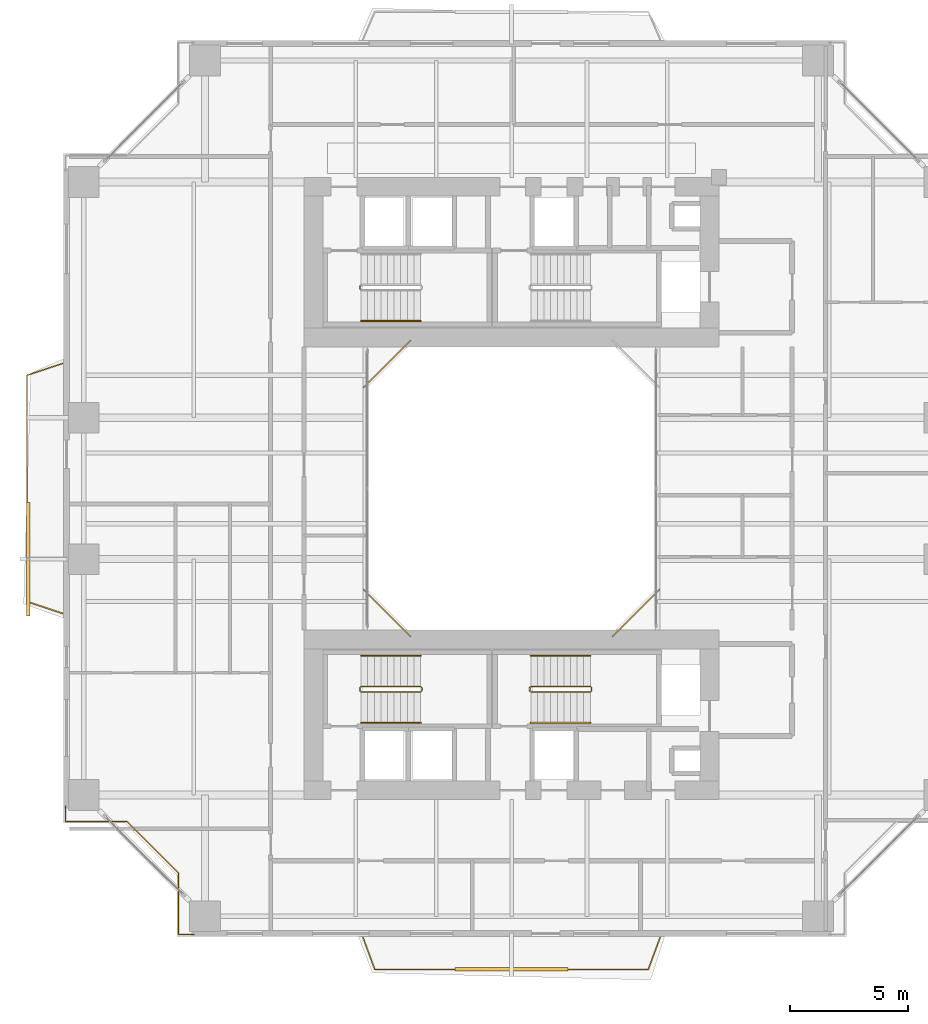
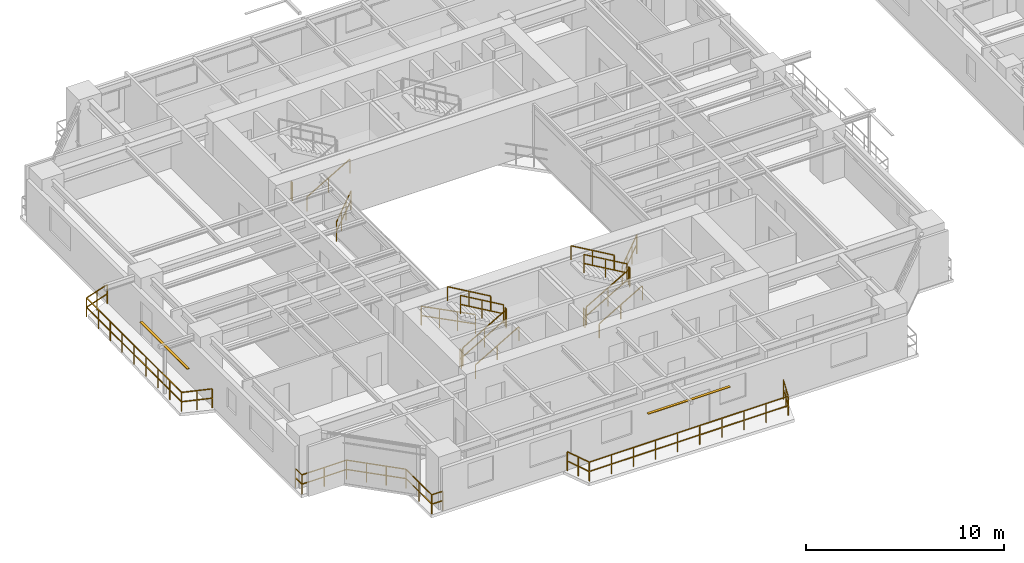
# One storey, part 19 of 23: 20 railings, 2 shading devices.
"""IFC4 building model written with IfcOpenShell, lengths in metres."""

from ifc_helpers import new_model, si_unit, direction, frame, origin, origin_2d, place, context, subcontext, project, spatial, rectangle, extrude, source, transform, mapped, material, material_profile, profile_set, type_object, element, save


model = new_model("IFC4")

# Units and contexts
model_context = context("Model", 3, precision=1e-05, world=origin(), true_north=direction((0.0, 1.0)))
body_context = subcontext(model_context, "Body", "Model", "MODEL_VIEW")
ifc_project = project(units=[si_unit("LENGTHUNIT", "METRE"), si_unit("AREAUNIT", "SQUARE_METRE"), si_unit("VOLUMEUNIT", "CUBIC_METRE"), si_unit("PLANEANGLEUNIT", "RADIAN"), si_unit("MASSUNIT", "GRAM", prefix="KILO"), si_unit("THERMODYNAMICTEMPERATUREUNIT", "KELVIN"), si_unit("POWERUNIT", "WATT")], contexts=[model_context])

# Site, building, storey
site_placement = place(None, origin())
site = spatial("IfcSite", under=ifc_project, at=site_placement, CompositionType="ELEMENT")
building_placement = place(site_placement, origin())
building = spatial("IfcBuilding", under=site, at=building_placement, Name="Qiaomeng Ring Towers", CompositionType="ELEMENT")
storey_placement = place(building_placement, frame((0.0, 0.0, 29.5)))
storey = spatial("IfcBuildingStorey", under=building, at=storey_placement, Name="L07", CompositionType="ELEMENT", Elevation=29.5)

# Railings
ifc_material_1 = material(Name="Low-E pale-green laminated safety glass", Category="glass")
railing_type_1 = type_object("IfcRailingType", Name="ARC-RL-BAL1", PredefinedType="BALUSTRADE", material=ifc_material_1)
railing_1_placement = place(storey_placement, frame((23.280029296875, 16.719970703125, 0.0)))
element("IfcRailing", 1, at=railing_1_placement, inside=storey, type_object=railing_type_1, Name="L07 Balustrade ARC-BAL-WELL1-L07-1", PredefinedType="BALUSTRADE", context=body_context, shape_type="SweptSolid", body=[
    extrude(rectangle(XDim=0.048095703125, YDim=0.048095703125, at=origin_2d()), frame((0.0, 0.0, 1.17578125), z_axis=(0.707106781187, 0.707106781187, 0.0), x_axis=(-0.707106781187, 0.707106781187, 0.0)), (0.0, 0.0, 1.0), 2.828369140625),
    extrude(rectangle(XDim=0.048095703125, YDim=0.048095703125, at=origin_2d()), frame((0.0, 0.0, 0.60009765625), z_axis=(0.707106781187, 0.707106781187, 0.0), x_axis=(-0.707106781187, 0.707106781187, 0.0)), (0.0, 0.0, 1.0), 2.828369140625),
    extrude(rectangle(XDim=0.0419921875, YDim=0.0419921875, at=origin_2d()), origin(), (0.0, 0.0, 1.0), 1.15185546875),
    extrude(rectangle(XDim=0.0419921875, YDim=0.0419921875, at=origin_2d()), frame((0.666748046875, 0.666748046875, 0.0)), (0.0, 0.0, 1.0), 1.15185546875),
    extrude(rectangle(XDim=0.0419921875, YDim=0.0419921875, at=origin_2d()), frame((1.333251953125, 1.333251953125, 0.0)), (0.0, 0.0, 1.0), 1.15185546875),
    extrude(rectangle(XDim=0.0419921875, YDim=0.0419921875, at=origin_2d()), frame((2.0, 2.0, 0.0)), (0.0, 0.0, 1.0), 1.15185546875),
])
railing_2_placement = place(storey_placement, frame((14.719970703125, 29.280029296875, 0.0)))
element("IfcRailing", 2, at=railing_2_placement, inside=storey, type_object=railing_type_1, Name="L07 Balustrade ARC-BAL-WELL1-L07-3", PredefinedType="BALUSTRADE", context=body_context, shape_type="SweptSolid", body=[
    extrude(rectangle(XDim=0.048095703125, YDim=0.048095703125, at=origin_2d()), frame((0.0, 0.0, 1.17578125), z_axis=(-0.707106781187, -0.707106781187, 0.0), x_axis=(0.707106781187, -0.707106781187, 0.0)), (0.0, 0.0, 1.0), 2.828369140625),
    extrude(rectangle(XDim=0.048095703125, YDim=0.048095703125, at=origin_2d()), frame((0.0, 0.0, 0.60009765625), z_axis=(-0.707106781187, -0.707106781187, 0.0), x_axis=(0.707106781187, -0.707106781187, 0.0)), (0.0, 0.0, 1.0), 2.828369140625),
    extrude(rectangle(XDim=0.0419921875, YDim=0.0419921875, at=origin_2d()), origin(), (0.0, 0.0, 1.0), 1.15185546875),
    extrude(rectangle(XDim=0.0419921875, YDim=0.0419921875, at=origin_2d()), frame((-0.666748046875, -0.666748046875, 0.0)), (0.0, 0.0, 1.0), 1.15185546875),
    extrude(rectangle(XDim=0.0419921875, YDim=0.0419921875, at=origin_2d()), frame((-1.333251953125, -1.333251953125, 0.0)), (0.0, 0.0, 1.0), 1.15185546875),
    extrude(rectangle(XDim=0.0419921875, YDim=0.0419921875, at=origin_2d()), frame((-2.0, -2.0, 0.0)), (0.0, 0.0, 1.0), 1.15185546875),
])
railing_3_placement = place(storey_placement, frame((12.719970703125, 18.719970703125, 0.0)))
element("IfcRailing", 3, at=railing_3_placement, inside=storey, type_object=railing_type_1, Name="L07 Balustrade ARC-BAL-WELL1-L07-4", PredefinedType="BALUSTRADE", context=body_context, shape_type="SweptSolid", body=[
    extrude(rectangle(XDim=0.048095703125, YDim=0.048095703125, at=origin_2d()), frame((0.0, 0.0, 1.17578125), z_axis=(0.707106781187, -0.707106781187, 0.0), x_axis=(0.707106781187, 0.707106781187, 0.0)), (0.0, 0.0, 1.0), 2.828369140625),
    extrude(rectangle(XDim=0.048095703125, YDim=0.048095703125, at=origin_2d()), frame((0.0, 0.0, 0.60009765625), z_axis=(0.707106781187, -0.707106781187, 0.0), x_axis=(0.707106781187, 0.707106781187, 0.0)), (0.0, 0.0, 1.0), 2.828369140625),
    extrude(rectangle(XDim=0.0419921875, YDim=0.0419921875, at=origin_2d()), origin(), (0.0, 0.0, 1.0), 1.15185546875),
    extrude(rectangle(XDim=0.0419921875, YDim=0.0419921875, at=origin_2d()), frame((0.666748046875, -0.666748046875, 0.0)), (0.0, 0.0, 1.0), 1.15185546875),
    extrude(rectangle(XDim=0.0419921875, YDim=0.0419921875, at=origin_2d()), frame((1.333251953125, -1.333251953125, 0.0)), (0.0, 0.0, 1.0), 1.15185546875),
    extrude(rectangle(XDim=0.0419921875, YDim=0.0419921875, at=origin_2d()), frame((2.0, -2.0, 0.0)), (0.0, 0.0, 1.0), 1.15185546875),
])
railing_4_placement = place(storey_placement, frame((0.080078125, 9.530029296875, 0.0)))
element("IfcRailing", 4, at=railing_4_placement, inside=storey, type_object=railing_type_1, Name="L07 Balustrade ARC-BAL-NOTCH1-L07-SW", PredefinedType="BALUSTRADE", context=body_context, shape_type="SweptSolid", body=[
    extrude(rectangle(XDim=0.048095703125, YDim=0.048095703125, at=origin_2d()), frame((0.0, 0.0, 1.17578125), z_axis=(0.0, -1.0, 0.0), x_axis=(1.0, 0.0, 0.0)), (0.0, 0.0, 1.0), 0.650146484375),
    extrude(rectangle(XDim=0.048095703125, YDim=0.048095703125, at=origin_2d()), frame((0.0, 0.0, 0.60009765625), z_axis=(0.0, -1.0, 0.0), x_axis=(1.0, 0.0, 0.0)), (0.0, 0.0, 1.0), 0.650146484375),
    extrude(rectangle(XDim=0.048095703125, YDim=0.048095703125, at=origin_2d()), frame((0.0, -0.650146484375, 1.17578125), z_axis=(1.0, 0.0, 0.0), x_axis=(0.0, 1.0, 0.0)), (0.0, 0.0, 1.0), 2.599853515625),
    extrude(rectangle(XDim=0.048095703125, YDim=0.048095703125, at=origin_2d()), frame((0.0, -0.650146484375, 0.60009765625), z_axis=(1.0, 0.0, 0.0), x_axis=(0.0, 1.0, 0.0)), (0.0, 0.0, 1.0), 2.599853515625),
    extrude(rectangle(XDim=0.048095703125, YDim=0.048095703125, at=origin_2d()), frame((2.599853515625, -0.650146484375, 1.17578125), z_axis=(0.707106781187, -0.707106781187, 0.0), x_axis=(0.707106781187, 0.707106781187, 0.0)), (0.0, 0.0, 1.0), 3.111083984375),
    extrude(rectangle(XDim=0.048095703125, YDim=0.048095703125, at=origin_2d()), frame((2.599853515625, -0.650146484375, 0.60009765625), z_axis=(0.707106781187, -0.707106781187, 0.0), x_axis=(0.707106781187, 0.707106781187, 0.0)), (0.0, 0.0, 1.0), 3.111083984375),
    extrude(rectangle(XDim=0.048095703125, YDim=0.048095703125, at=origin_2d()), frame((4.7998046875, -2.85009765625, 1.17578125), z_axis=(0.0, -1.0, 0.0), x_axis=(1.0, 0.0, 0.0)), (0.0, 0.0, 1.0), 2.599853515625),
    extrude(rectangle(XDim=0.048095703125, YDim=0.048095703125, at=origin_2d()), frame((4.7998046875, -2.85009765625, 0.60009765625), z_axis=(0.0, -1.0, 0.0), x_axis=(1.0, 0.0, 0.0)), (0.0, 0.0, 1.0), 2.599853515625),
    extrude(rectangle(XDim=0.048095703125, YDim=0.048095703125, at=origin_2d()), frame((4.7998046875, -5.449951171875, 1.17578125), z_axis=(1.0, 0.0, 0.0), x_axis=(0.0, 1.0, 0.0)), (0.0, 0.0, 1.0), 0.650146484375),
    extrude(rectangle(XDim=0.048095703125, YDim=0.048095703125, at=origin_2d()), frame((4.7998046875, -5.449951171875, 0.60009765625), z_axis=(1.0, 0.0, 0.0), x_axis=(0.0, 1.0, 0.0)), (0.0, 0.0, 1.0), 0.650146484375),
    extrude(rectangle(XDim=0.0419921875, YDim=0.0419921875, at=origin_2d()), origin(), (0.0, 0.0, 1.0), 1.15185546875),
    extrude(rectangle(XDim=0.0419921875, YDim=0.0419921875, at=origin_2d()), frame((0.0, -0.650146484375, 0.0)), (0.0, 0.0, 1.0), 1.15185546875),
    extrude(rectangle(XDim=0.0419921875, YDim=0.0419921875, at=origin_2d()), frame((1.2998046875, -0.650146484375, 0.0)), (0.0, 0.0, 1.0), 1.15185546875),
    extrude(rectangle(XDim=0.0419921875, YDim=0.0419921875, at=origin_2d()), frame((2.599853515625, -0.650146484375, 0.0)), (0.0, 0.0, 1.0), 1.15185546875),
    extrude(rectangle(XDim=0.0419921875, YDim=0.0419921875, at=origin_2d()), frame((3.333251953125, -1.383544921875, 0.0)), (0.0, 0.0, 1.0), 1.15185546875),
    extrude(rectangle(XDim=0.0419921875, YDim=0.0419921875, at=origin_2d()), frame((4.06640625, -2.11669921875, 0.0)), (0.0, 0.0, 1.0), 1.15185546875),
    extrude(rectangle(XDim=0.0419921875, YDim=0.0419921875, at=origin_2d()), frame((4.7998046875, -2.85009765625, 0.0)), (0.0, 0.0, 1.0), 1.15185546875),
    extrude(rectangle(XDim=0.0419921875, YDim=0.0419921875, at=origin_2d()), frame((4.7998046875, -4.14990234375, 0.0)), (0.0, 0.0, 1.0), 1.15185546875),
    extrude(rectangle(XDim=0.0419921875, YDim=0.0419921875, at=origin_2d()), frame((4.7998046875, -5.449951171875, 0.0)), (0.0, 0.0, 1.0), 1.15185546875),
    extrude(rectangle(XDim=0.0419921875, YDim=0.0419921875, at=origin_2d()), frame((5.449951171875, -5.449951171875, 0.0)), (0.0, 0.0, 1.0), 1.15185546875),
])
railing_5_placement = place(storey_placement, frame((12.699951171875, 3.949951171875, 0.0)))
element("IfcRailing", 5, at=railing_5_placement, inside=storey, type_object=railing_type_1, Name="L07 Balustrade ARC-BAL-L07-T1-S", PredefinedType="BALUSTRADE", context=body_context, shape_type="SweptSolid", body=[
    extrude(rectangle(XDim=0.048095703125, YDim=0.048095703125, at=origin_2d()), frame((0.0, 0.0, 1.17578125), z_axis=(0.347347498827, -0.937736484871, 0.0), x_axis=(0.937736484871, 0.347347498827, 0.0)), (0.0, 0.0, 1.0), 1.439453125),
    extrude(rectangle(XDim=0.048095703125, YDim=0.048095703125, at=origin_2d()), frame((0.0, 0.0, 0.60009765625), z_axis=(0.347347498827, -0.937736484871, 0.0), x_axis=(0.937736484871, 0.347347498827, 0.0)), (0.0, 0.0, 1.0), 1.439453125),
    extrude(rectangle(XDim=0.048095703125, YDim=0.048095703125, at=origin_2d()), frame((0.5, -1.349853515625, 1.17578125), z_axis=(1.0, 0.0, 0.0), x_axis=(0.0, 1.0, 0.0)), (0.0, 0.0, 1.0), 11.60009765625),
    extrude(rectangle(XDim=0.048095703125, YDim=0.048095703125, at=origin_2d()), frame((0.5, -1.349853515625, 0.60009765625), z_axis=(1.0, 0.0, 0.0), x_axis=(0.0, 1.0, 0.0)), (0.0, 0.0, 1.0), 11.60009765625),
    extrude(rectangle(XDim=0.048095703125, YDim=0.048095703125, at=origin_2d()), frame((12.10009765625, -1.349853515625, 1.17578125), z_axis=(0.347347498827, 0.937736484871, 0.0), x_axis=(-0.937736484871, 0.347347498827, 0.0)), (0.0, 0.0, 1.0), 1.439453125),
    extrude(rectangle(XDim=0.048095703125, YDim=0.048095703125, at=origin_2d()), frame((12.10009765625, -1.349853515625, 0.60009765625), z_axis=(0.347347498827, 0.937736484871, 0.0), x_axis=(-0.937736484871, 0.347347498827, 0.0)), (0.0, 0.0, 1.0), 1.439453125),
    extrude(rectangle(XDim=0.0419921875, YDim=0.0419921875, at=origin_2d()), origin(), (0.0, 0.0, 1.0), 1.15185546875),
    extrude(rectangle(XDim=0.0419921875, YDim=0.0419921875, at=origin_2d()), frame((0.25, -0.6748046875, 0.0)), (0.0, 0.0, 1.0), 1.15185546875),
    extrude(rectangle(XDim=0.0419921875, YDim=0.0419921875, at=origin_2d()), frame((0.5, -1.349853515625, 0.0)), (0.0, 0.0, 1.0), 1.15185546875),
    extrude(rectangle(XDim=0.0419921875, YDim=0.0419921875, at=origin_2d()), frame((1.788818359375, -1.349853515625, 0.0)), (0.0, 0.0, 1.0), 1.15185546875),
    extrude(rectangle(XDim=0.0419921875, YDim=0.0419921875, at=origin_2d()), frame((3.077880859375, -1.349853515625, 0.0)), (0.0, 0.0, 1.0), 1.15185546875),
    extrude(rectangle(XDim=0.0419921875, YDim=0.0419921875, at=origin_2d()), frame((4.36669921875, -1.349853515625, 0.0)), (0.0, 0.0, 1.0), 1.15185546875),
    extrude(rectangle(XDim=0.0419921875, YDim=0.0419921875, at=origin_2d()), frame((5.655517578125, -1.349853515625, 0.0)), (0.0, 0.0, 1.0), 1.15185546875),
    extrude(rectangle(XDim=0.0419921875, YDim=0.0419921875, at=origin_2d()), frame((6.944580078125, -1.349853515625, 0.0)), (0.0, 0.0, 1.0), 1.15185546875),
    extrude(rectangle(XDim=0.0419921875, YDim=0.0419921875, at=origin_2d()), frame((8.2333984375, -1.349853515625, 0.0)), (0.0, 0.0, 1.0), 1.15185546875),
    extrude(rectangle(XDim=0.0419921875, YDim=0.0419921875, at=origin_2d()), frame((9.522216796875, -1.349853515625, 0.0)), (0.0, 0.0, 1.0), 1.15185546875),
    extrude(rectangle(XDim=0.0419921875, YDim=0.0419921875, at=origin_2d()), frame((10.811279296875, -1.349853515625, 0.0)), (0.0, 0.0, 1.0), 1.15185546875),
    extrude(rectangle(XDim=0.0419921875, YDim=0.0419921875, at=origin_2d()), frame((12.10009765625, -1.349853515625, 0.0)), (0.0, 0.0, 1.0), 1.15185546875),
    extrude(rectangle(XDim=0.0419921875, YDim=0.0419921875, at=origin_2d()), frame((12.35009765625, -0.6748046875, 0.0)), (0.0, 0.0, 1.0), 1.15185546875),
    extrude(rectangle(XDim=0.0419921875, YDim=0.0419921875, at=origin_2d()), frame((12.60009765625, 0.0, 0.0)), (0.0, 0.0, 1.0), 1.15185546875),
])
railing_6_placement = place(storey_placement, frame((-0.050048828125, 17.699951171875, 0.0)))
element("IfcRailing", 6, at=railing_6_placement, inside=storey, type_object=railing_type_1, Name="L07 Balustrade ARC-BAL-L07-T1-W", PredefinedType="BALUSTRADE", context=body_context, shape_type="SweptSolid", body=[
    extrude(rectangle(XDim=0.048095703125, YDim=0.048095703125, at=origin_2d()), frame((0.0, 0.0, 1.17578125), z_axis=(-0.948683298051, 0.316227766017, 0.0), x_axis=(-0.316227766017, -0.948683298051, 0.0)), (0.0, 0.0, 1.0), 1.5810546875),
    extrude(rectangle(XDim=0.048095703125, YDim=0.048095703125, at=origin_2d()), frame((0.0, 0.0, 0.60009765625), z_axis=(-0.948683298051, 0.316227766017, 0.0), x_axis=(-0.316227766017, -0.948683298051, 0.0)), (0.0, 0.0, 1.0), 1.5810546875),
    extrude(rectangle(XDim=0.048095703125, YDim=0.048095703125, at=origin_2d()), frame((-1.5, 0.5, 1.17578125), z_axis=(0.0, 1.0, 0.0), x_axis=(-1.0, 0.0, 0.0)), (0.0, 0.0, 1.0), 9.60009765625),
    extrude(rectangle(XDim=0.048095703125, YDim=0.048095703125, at=origin_2d()), frame((-1.5, 0.5, 0.60009765625), z_axis=(0.0, 1.0, 0.0), x_axis=(-1.0, 0.0, 0.0)), (0.0, 0.0, 1.0), 9.60009765625),
    extrude(rectangle(XDim=0.048095703125, YDim=0.048095703125, at=origin_2d()), frame((-1.5, 10.10009765625, 1.17578125), z_axis=(0.948683298051, 0.316227766017, 0.0), x_axis=(-0.316227766017, 0.948683298051, 0.0)), (0.0, 0.0, 1.0), 1.5810546875),
    extrude(rectangle(XDim=0.048095703125, YDim=0.048095703125, at=origin_2d()), frame((-1.5, 10.10009765625, 0.60009765625), z_axis=(0.948683298051, 0.316227766017, 0.0), x_axis=(-0.316227766017, 0.948683298051, 0.0)), (0.0, 0.0, 1.0), 1.5810546875),
    extrude(rectangle(XDim=0.0419921875, YDim=0.0419921875, at=origin_2d()), origin(), (0.0, 0.0, 1.0), 1.15185546875),
    extrude(rectangle(XDim=0.0419921875, YDim=0.0419921875, at=origin_2d()), frame((-0.75, 0.25, 0.0)), (0.0, 0.0, 1.0), 1.15185546875),
    extrude(rectangle(XDim=0.0419921875, YDim=0.0419921875, at=origin_2d()), frame((-1.5, 0.5, 0.0)), (0.0, 0.0, 1.0), 1.15185546875),
    extrude(rectangle(XDim=0.0419921875, YDim=0.0419921875, at=origin_2d()), frame((-1.5, 1.699951171875, 0.0)), (0.0, 0.0, 1.0), 1.15185546875),
    extrude(rectangle(XDim=0.0419921875, YDim=0.0419921875, at=origin_2d()), frame((-1.5, 2.89990234375, 0.0)), (0.0, 0.0, 1.0), 1.15185546875),
    extrude(rectangle(XDim=0.0419921875, YDim=0.0419921875, at=origin_2d()), frame((-1.5, 4.10009765625, 0.0)), (0.0, 0.0, 1.0), 1.15185546875),
    extrude(rectangle(XDim=0.0419921875, YDim=0.0419921875, at=origin_2d()), frame((-1.5, 5.300048828125, 0.0)), (0.0, 0.0, 1.0), 1.15185546875),
    extrude(rectangle(XDim=0.0419921875, YDim=0.0419921875, at=origin_2d()), frame((-1.5, 6.5, 0.0)), (0.0, 0.0, 1.0), 1.15185546875),
    extrude(rectangle(XDim=0.0419921875, YDim=0.0419921875, at=origin_2d()), frame((-1.5, 7.7001953125, 0.0)), (0.0, 0.0, 1.0), 1.15185546875),
    extrude(rectangle(XDim=0.0419921875, YDim=0.0419921875, at=origin_2d()), frame((-1.5, 8.900146484375, 0.0)), (0.0, 0.0, 1.0), 1.15185546875),
    extrude(rectangle(XDim=0.0419921875, YDim=0.0419921875, at=origin_2d()), frame((-1.5, 10.10009765625, 0.0)), (0.0, 0.0, 1.0), 1.15185546875),
    extrude(rectangle(XDim=0.0419921875, YDim=0.0419921875, at=origin_2d()), frame((-0.75, 10.35009765625, 0.0)), (0.0, 0.0, 1.0), 1.15185546875),
    extrude(rectangle(XDim=0.0419921875, YDim=0.0419921875, at=origin_2d()), frame((0.0, 10.60009765625, 0.0)), (0.0, 0.0, 1.0), 1.15185546875),
])
ifc_material_2 = material(Name="Galvanised steel", Category="steel")
railing_type_2 = type_object("IfcRailingType", Name="ARC-RL-GUARD", PredefinedType="GUARDRAIL", material=ifc_material_2)
railing_7_placement = place(storey_placement, frame((12.570068359375, 31.449951171875, 0.0)))
element("IfcRailing", 7, at=railing_7_placement, inside=storey, type_object=railing_type_2, Name="L07 ST1 stair guard 4", PredefinedType="GUARDRAIL", context=body_context, shape_type="SweptSolid", body=[
    extrude(rectangle(XDim=0.048095703125, YDim=0.048095703125, at=origin_2d()), frame((0.0, 0.0, 1.1259765625), z_axis=(0.0, 1.0, 0.0), x_axis=(-1.0, 0.0, 0.0)), (0.0, 0.0, 1.0), 0.14013671875),
    extrude(rectangle(XDim=0.048095703125, YDim=0.048095703125, at=origin_2d()), frame((0.0, 0.0, 0.574951171875), z_axis=(0.0, 1.0, 0.0), x_axis=(-1.0, 0.0, 0.0)), (0.0, 0.0, 1.0), 0.14013671875),
    extrude(rectangle(XDim=0.0419921875, YDim=0.0419921875, at=origin_2d()), origin(), (0.0, 0.0, 1.0), 1.101806640625),
    extrude(rectangle(XDim=0.0419921875, YDim=0.0419921875, at=origin_2d()), frame((0.0, 0.14013671875, 0.0)), (0.0, 0.0, 1.0), 1.101806640625),
])
railing_8_placement = place(storey_placement, frame((12.6201171875, 14.360107421875, 0.16259765625)))
element("IfcRailing", 8, at=railing_8_placement, inside=storey, type_object=railing_type_2, Name="L07 ST3 stair guard 1", PredefinedType="GUARDRAIL", context=body_context, shape_type="SweptSolid", body=[
    extrude(rectangle(XDim=0.048095703125, YDim=0.048095703125, at=origin_2d()), frame((0.0, 0.0, 1.1259765625), z_axis=(0.864892226395, 0.0, 0.501957604506), x_axis=(0.0, 1.0, 0.0)), (0.0, 0.0, 1.0), 2.913330078125),
    extrude(rectangle(XDim=0.048095703125, YDim=0.048095703125, at=origin_2d()), frame((0.0, 0.0, 0.574951171875), z_axis=(0.864892226395, 0.0, 0.501957604506), x_axis=(0.0, 1.0, 0.0)), (0.0, 0.0, 1.0), 2.913330078125),
    extrude(rectangle(XDim=0.0419921875, YDim=0.0419921875, at=origin_2d()), origin(), (0.0, 0.0, 1.0), 1.101806640625),
    extrude(rectangle(XDim=0.0419921875, YDim=0.0419921875, at=origin_2d()), frame((1.259765625, 0.0, 0.731201171875)), (0.0, 0.0, 1.0), 1.101806640625),
    extrude(rectangle(XDim=0.0419921875, YDim=0.0419921875, at=origin_2d()), frame((2.519775390625, 0.0, 1.46240234375)), (0.0, 0.0, 1.0), 1.101806640625),
])
railing_9_placement = place(storey_placement, frame((15.18994140625, 14.409912109375, 1.625)))
element("IfcRailing", 9, at=railing_9_placement, inside=storey, type_object=railing_type_2, Name="L07 ST3 stair guard 2", PredefinedType="GUARDRAIL", context=body_context, shape_type="SweptSolid", body=[
    extrude(rectangle(XDim=0.048095703125, YDim=0.048095703125, at=origin_2d()), frame((0.0, 0.0, 1.1259765625), z_axis=(0.0, 1.0, 0.0), x_axis=(-1.0, 0.0, 0.0)), (0.0, 0.0, 1.0), 0.14013671875),
    extrude(rectangle(XDim=0.048095703125, YDim=0.048095703125, at=origin_2d()), frame((0.0, 0.0, 0.574951171875), z_axis=(0.0, 1.0, 0.0), x_axis=(-1.0, 0.0, 0.0)), (0.0, 0.0, 1.0), 0.14013671875),
    extrude(rectangle(XDim=0.0419921875, YDim=0.0419921875, at=origin_2d()), origin(), (0.0, 0.0, 1.0), 1.101806640625),
    extrude(rectangle(XDim=0.0419921875, YDim=0.0419921875, at=origin_2d()), frame((0.0, 0.14013671875, 0.0)), (0.0, 0.0, 1.0), 1.101806640625),
])
railing_10_placement = place(storey_placement, frame((15.139892578125, 14.60009765625, 1.78759765625)))
element("IfcRailing", 10, at=railing_10_placement, inside=storey, type_object=railing_type_2, Name="L07 ST3 stair guard 3", PredefinedType="GUARDRAIL", context=body_context, shape_type="SweptSolid", body=[
    extrude(rectangle(XDim=0.048095703125, YDim=0.048095703125, at=origin_2d()), frame((0.0, 0.0, 1.1259765625), z_axis=(-0.864892226395, 0.0, 0.501957604506), x_axis=(0.0, -1.0, 0.0)), (0.0, 0.0, 1.0), 2.913330078125),
    extrude(rectangle(XDim=0.048095703125, YDim=0.048095703125, at=origin_2d()), frame((0.0, 0.0, 0.574951171875), z_axis=(-0.864892226395, 0.0, 0.501957604506), x_axis=(0.0, -1.0, 0.0)), (0.0, 0.0, 1.0), 2.913330078125),
    extrude(rectangle(XDim=0.0419921875, YDim=0.0419921875, at=origin_2d()), origin(), (0.0, 0.0, 1.0), 1.101806640625),
    extrude(rectangle(XDim=0.0419921875, YDim=0.0419921875, at=origin_2d()), frame((-1.259765625, 0.0, 0.731201171875)), (0.0, 0.0, 1.0), 1.101806640625),
    extrude(rectangle(XDim=0.0419921875, YDim=0.0419921875, at=origin_2d()), frame((-2.519775390625, 0.0, 1.46240234375)), (0.0, 0.0, 1.0), 1.101806640625),
])
railing_11_placement = place(storey_placement, frame((12.570068359375, 14.409912109375, 0.0)))
element("IfcRailing", 11, at=railing_11_placement, inside=storey, type_object=railing_type_2, Name="L07 ST3 stair guard 4", PredefinedType="GUARDRAIL", context=body_context, shape_type="SweptSolid", body=[
    extrude(rectangle(XDim=0.048095703125, YDim=0.048095703125, at=origin_2d()), frame((0.0, 0.0, 1.1259765625), z_axis=(0.0, 1.0, 0.0), x_axis=(-1.0, 0.0, 0.0)), (0.0, 0.0, 1.0), 0.14013671875),
    extrude(rectangle(XDim=0.048095703125, YDim=0.048095703125, at=origin_2d()), frame((0.0, 0.0, 0.574951171875), z_axis=(0.0, 1.0, 0.0), x_axis=(-1.0, 0.0, 0.0)), (0.0, 0.0, 1.0), 0.14013671875),
    extrude(rectangle(XDim=0.0419921875, YDim=0.0419921875, at=origin_2d()), origin(), (0.0, 0.0, 1.0), 1.101806640625),
    extrude(rectangle(XDim=0.0419921875, YDim=0.0419921875, at=origin_2d()), frame((0.0, 0.14013671875, 0.0)), (0.0, 0.0, 1.0), 1.101806640625),
])
railing_12_placement = place(storey_placement, frame((19.820068359375, 14.360107421875, 0.16259765625)))
element("IfcRailing", 12, at=railing_12_placement, inside=storey, type_object=railing_type_2, Name="L07 ST4 stair guard 1", PredefinedType="GUARDRAIL", context=body_context, shape_type="SweptSolid", body=[
    extrude(rectangle(XDim=0.048095703125, YDim=0.048095703125, at=origin_2d()), frame((0.0, 0.0, 1.1259765625), z_axis=(0.864913338283, 0.0, 0.50192122615), x_axis=(0.0, 1.0, 0.0)), (0.0, 0.0, 1.0), 2.91357421875),
    extrude(rectangle(XDim=0.048095703125, YDim=0.048095703125, at=origin_2d()), frame((0.0, 0.0, 0.574951171875), z_axis=(0.864913338283, 0.0, 0.50192122615), x_axis=(0.0, 1.0, 0.0)), (0.0, 0.0, 1.0), 2.91357421875),
    extrude(rectangle(XDim=0.0419921875, YDim=0.0419921875, at=origin_2d()), origin(), (0.0, 0.0, 1.0), 1.101806640625),
    extrude(rectangle(XDim=0.0419921875, YDim=0.0419921875, at=origin_2d()), frame((1.260009765625, 0.0, 0.731201171875)), (0.0, 0.0, 1.0), 1.101806640625),
    extrude(rectangle(XDim=0.0419921875, YDim=0.0419921875, at=origin_2d()), frame((2.52001953125, 0.0, 1.46240234375)), (0.0, 0.0, 1.0), 1.101806640625),
])
railing_13_placement = place(storey_placement, frame((22.389892578125, 14.409912109375, 1.625)))
element("IfcRailing", 13, at=railing_13_placement, inside=storey, type_object=railing_type_2, Name="L07 ST4 stair guard 2", PredefinedType="GUARDRAIL", context=body_context, shape_type="SweptSolid", body=[
    extrude(rectangle(XDim=0.048095703125, YDim=0.048095703125, at=origin_2d()), frame((0.0, 0.0, 1.1259765625), z_axis=(0.0, 1.0, 0.0), x_axis=(-1.0, 0.0, 0.0)), (0.0, 0.0, 1.0), 0.14013671875),
    extrude(rectangle(XDim=0.048095703125, YDim=0.048095703125, at=origin_2d()), frame((0.0, 0.0, 0.574951171875), z_axis=(0.0, 1.0, 0.0), x_axis=(-1.0, 0.0, 0.0)), (0.0, 0.0, 1.0), 0.14013671875),
    extrude(rectangle(XDim=0.0419921875, YDim=0.0419921875, at=origin_2d()), origin(), (0.0, 0.0, 1.0), 1.101806640625),
    extrude(rectangle(XDim=0.0419921875, YDim=0.0419921875, at=origin_2d()), frame((0.0, 0.14013671875, 0.0)), (0.0, 0.0, 1.0), 1.101806640625),
])
railing_14_placement = place(storey_placement, frame((22.340087890625, 14.60009765625, 1.78759765625)))
element("IfcRailing", 14, at=railing_14_placement, inside=storey, type_object=railing_type_2, Name="L07 ST4 stair guard 3", PredefinedType="GUARDRAIL", context=body_context, shape_type="SweptSolid", body=[
    extrude(rectangle(XDim=0.048095703125, YDim=0.048095703125, at=origin_2d()), frame((0.0, 0.0, 1.1259765625), z_axis=(-0.864913338283, 0.0, 0.50192122615), x_axis=(0.0, -1.0, 0.0)), (0.0, 0.0, 1.0), 2.91357421875),
    extrude(rectangle(XDim=0.048095703125, YDim=0.048095703125, at=origin_2d()), frame((0.0, 0.0, 0.574951171875), z_axis=(-0.864913338283, 0.0, 0.50192122615), x_axis=(0.0, -1.0, 0.0)), (0.0, 0.0, 1.0), 2.91357421875),
    extrude(rectangle(XDim=0.0419921875, YDim=0.0419921875, at=origin_2d()), origin(), (0.0, 0.0, 1.0), 1.101806640625),
    extrude(rectangle(XDim=0.0419921875, YDim=0.0419921875, at=origin_2d()), frame((-1.260009765625, 0.0, 0.731201171875)), (0.0, 0.0, 1.0), 1.101806640625),
    extrude(rectangle(XDim=0.0419921875, YDim=0.0419921875, at=origin_2d()), frame((-2.52001953125, 0.0, 1.46240234375)), (0.0, 0.0, 1.0), 1.101806640625),
])
railing_15_placement = place(storey_placement, frame((19.77001953125, 14.409912109375, 0.0)))
element("IfcRailing", 15, at=railing_15_placement, inside=storey, type_object=railing_type_2, Name="L07 ST4 stair guard 4", PredefinedType="GUARDRAIL", context=body_context, shape_type="SweptSolid", body=[
    extrude(rectangle(XDim=0.048095703125, YDim=0.048095703125, at=origin_2d()), frame((0.0, 0.0, 1.1259765625), z_axis=(0.0, 1.0, 0.0), x_axis=(-1.0, 0.0, 0.0)), (0.0, 0.0, 1.0), 0.14013671875),
    extrude(rectangle(XDim=0.048095703125, YDim=0.048095703125, at=origin_2d()), frame((0.0, 0.0, 0.574951171875), z_axis=(0.0, 1.0, 0.0), x_axis=(-1.0, 0.0, 0.0)), (0.0, 0.0, 1.0), 0.14013671875),
    extrude(rectangle(XDim=0.0419921875, YDim=0.0419921875, at=origin_2d()), origin(), (0.0, 0.0, 1.0), 1.101806640625),
    extrude(rectangle(XDim=0.0419921875, YDim=0.0419921875, at=origin_2d()), frame((0.0, 0.14013671875, 0.0)), (0.0, 0.0, 1.0), 1.101806640625),
])
ifc_material_3 = material(Name="Stainless steel 316", Category="steel")
railing_type_3 = type_object("IfcRailingType", Name="ARC-RL-HAND", PredefinedType="HANDRAIL", material=ifc_material_3)
for number, where, name in (
    (16, (12.6201171875, 30.10009765625, 0.16259765625), "L07 ST1 stair handrail 1"),
    (17, (12.6201171875, 13.06005859375, 0.16259765625), "L07 ST3 stair handrail 1"),
):
    element("IfcRailing", number, at=place(storey_placement, frame(where)), inside=storey, type_object=railing_type_3, Name=name, PredefinedType="HANDRAIL", context=body_context, shape_type="SweptSolid", body=[
        extrude(rectangle(XDim=0.048095703125, YDim=0.048095703125, at=origin_2d()), frame((0.0, 0.0, 0.8759765625), z_axis=(0.864892226395, 0.0, 0.501957604506), x_axis=(0.0, 1.0, 0.0)), (0.0, 0.0, 1.0), 2.913330078125),
        extrude(rectangle(XDim=0.0419921875, YDim=0.0419921875, at=origin_2d()), origin(), (0.0, 0.0, 1.0), 0.851806640625),
        extrude(rectangle(XDim=0.0419921875, YDim=0.0419921875, at=origin_2d()), frame((1.259765625, 0.0, 0.731201171875)), (0.0, 0.0, 1.0), 0.851806640625),
        extrude(rectangle(XDim=0.0419921875, YDim=0.0419921875, at=origin_2d()), frame((2.519775390625, 0.0, 1.46240234375)), (0.0, 0.0, 1.0), 0.851806640625),
    ])
railing_16_placement = place(storey_placement, frame((15.139892578125, 15.89990234375, 1.78759765625)))
element("IfcRailing", 18, at=railing_16_placement, inside=storey, type_object=railing_type_3, Name="L07 ST3 stair handrail 2", PredefinedType="HANDRAIL", context=body_context, shape_type="SweptSolid", body=[
    extrude(rectangle(XDim=0.048095703125, YDim=0.048095703125, at=origin_2d()), frame((0.0, 0.0, 0.8759765625), z_axis=(-0.864892226395, 0.0, 0.501957604506), x_axis=(0.0, -1.0, 0.0)), (0.0, 0.0, 1.0), 2.913330078125),
    extrude(rectangle(XDim=0.0419921875, YDim=0.0419921875, at=origin_2d()), origin(), (0.0, 0.0, 1.0), 0.851806640625),
    extrude(rectangle(XDim=0.0419921875, YDim=0.0419921875, at=origin_2d()), frame((-1.259765625, 0.0, 0.731201171875)), (0.0, 0.0, 1.0), 0.851806640625),
    extrude(rectangle(XDim=0.0419921875, YDim=0.0419921875, at=origin_2d()), frame((-2.519775390625, 0.0, 1.46240234375)), (0.0, 0.0, 1.0), 0.851806640625),
])
railing_17_placement = place(storey_placement, frame((19.820068359375, 13.06005859375, 0.16259765625)))
element("IfcRailing", 19, at=railing_17_placement, inside=storey, type_object=railing_type_3, Name="L07 ST4 stair handrail 1", PredefinedType="HANDRAIL", context=body_context, shape_type="SweptSolid", body=[
    extrude(rectangle(XDim=0.048095703125, YDim=0.048095703125, at=origin_2d()), frame((0.0, 0.0, 0.8759765625), z_axis=(0.864913338283, 0.0, 0.50192122615), x_axis=(0.0, 1.0, 0.0)), (0.0, 0.0, 1.0), 2.91357421875),
    extrude(rectangle(XDim=0.0419921875, YDim=0.0419921875, at=origin_2d()), origin(), (0.0, 0.0, 1.0), 0.851806640625),
    extrude(rectangle(XDim=0.0419921875, YDim=0.0419921875, at=origin_2d()), frame((1.260009765625, 0.0, 0.731201171875)), (0.0, 0.0, 1.0), 0.851806640625),
    extrude(rectangle(XDim=0.0419921875, YDim=0.0419921875, at=origin_2d()), frame((2.52001953125, 0.0, 1.46240234375)), (0.0, 0.0, 1.0), 0.851806640625),
])
railing_18_placement = place(storey_placement, frame((22.340087890625, 15.89990234375, 1.78759765625)))
element("IfcRailing", 20, at=railing_18_placement, inside=storey, type_object=railing_type_3, Name="L07 ST4 stair handrail 2", PredefinedType="HANDRAIL", context=body_context, shape_type="SweptSolid", body=[
    extrude(rectangle(XDim=0.048095703125, YDim=0.048095703125, at=origin_2d()), frame((0.0, 0.0, 0.8759765625), z_axis=(-0.864913338283, 0.0, 0.50192122615), x_axis=(0.0, -1.0, 0.0)), (0.0, 0.0, 1.0), 2.91357421875),
    extrude(rectangle(XDim=0.0419921875, YDim=0.0419921875, at=origin_2d()), origin(), (0.0, 0.0, 1.0), 0.851806640625),
    extrude(rectangle(XDim=0.0419921875, YDim=0.0419921875, at=origin_2d()), frame((-1.260009765625, 0.0, 0.731201171875)), (0.0, 0.0, 1.0), 0.851806640625),
    extrude(rectangle(XDim=0.0419921875, YDim=0.0419921875, at=origin_2d()), frame((-2.52001953125, 0.0, 1.46240234375)), (0.0, 0.0, 1.0), 0.851806640625),
])

# Shading devices
ifc_material_4 = material(Name="Fluorocarbon dark-grey aluminium", Category="aluminium")
ifc_material_profile = material_profile(ifc_material_4, rectangle(XDim=0.14990234375, YDim=0.034912109375, at=origin_2d()), Name="LV BLADE 150x35")
ifc_profile_set = profile_set([ifc_material_profile], Name="Fluorocarbon dark-grey aluminium")
shading_device_type = type_object("IfcShadingDeviceType", Name="ARC-SHD-SUN", PredefinedType="AWNING", material=ifc_profile_set)
shared_shape = source(origin(), body_context, "Body", "SweptSolid", [
    extrude(rectangle(XDim=0.14990234375, YDim=0.034912109375, at=origin_2d()), origin(), (0.0, 0.0, 1.0), 4.7998046875),
])
for number, where, z_axis, x_axis, name in (
    (21, (16.60009765625, 2.60009765625, 2.969970703125), (1.0, 0.0, 0.0), (0.0, 1.0, 0.0), "L07 Ventilated Outer-Skin Sunshade S"),
    (22, (-1.5, 17.60009765625, 2.969970703125), (0.0, 1.0, 0.0), (-1.0, 0.0, 0.0), "L07 Ventilated Outer-Skin Sunshade W"),
):
    element("IfcShadingDevice", number, at=place(storey_placement, frame(where, z_axis=z_axis, x_axis=x_axis)), inside=storey, type_object=shading_device_type, Name=name, PredefinedType="AWNING", context=body_context, shape_type="MappedRepresentation", body=[
        mapped(shared_shape, transform((0.0, 0.0, 0.0), x_axis=(1.0, 0.0, 0.0), y_axis=(0.0, 1.0, 0.0), z_axis=(0.0, 0.0, 1.0), scale=1.0)),
    ])

save(model, "model.ifc")
